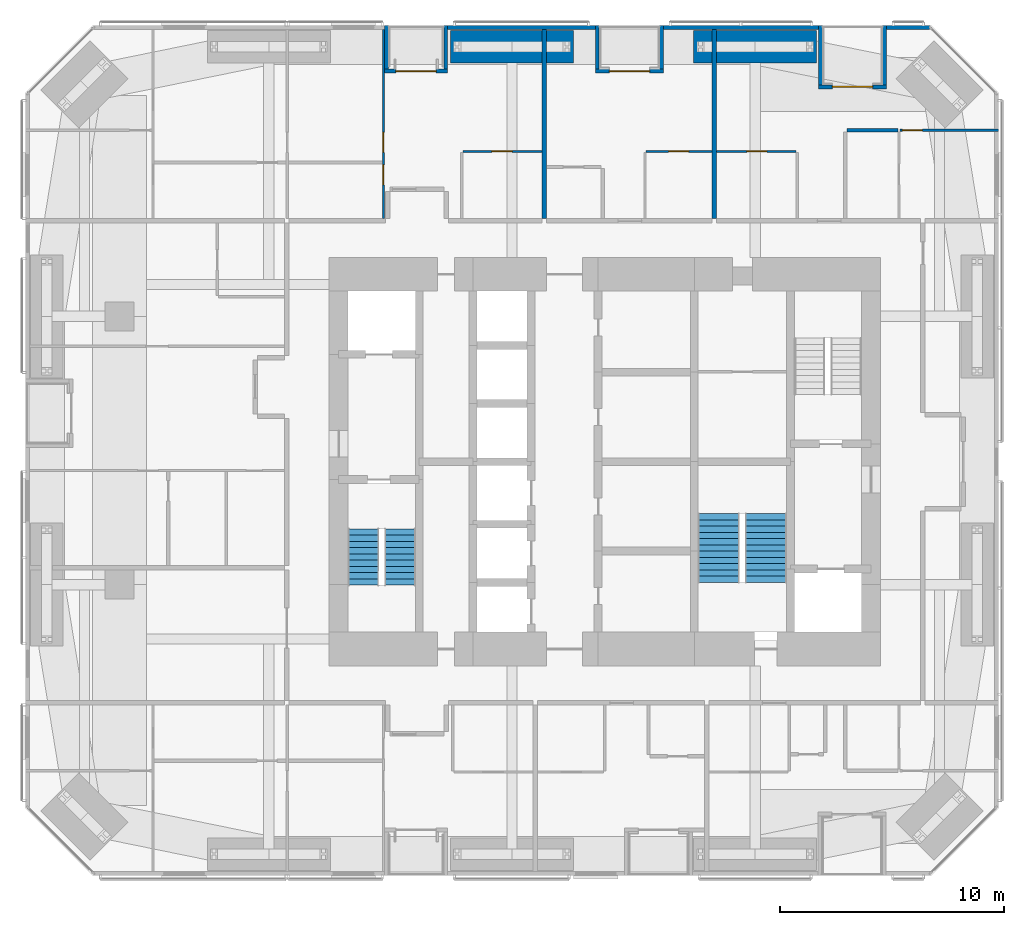
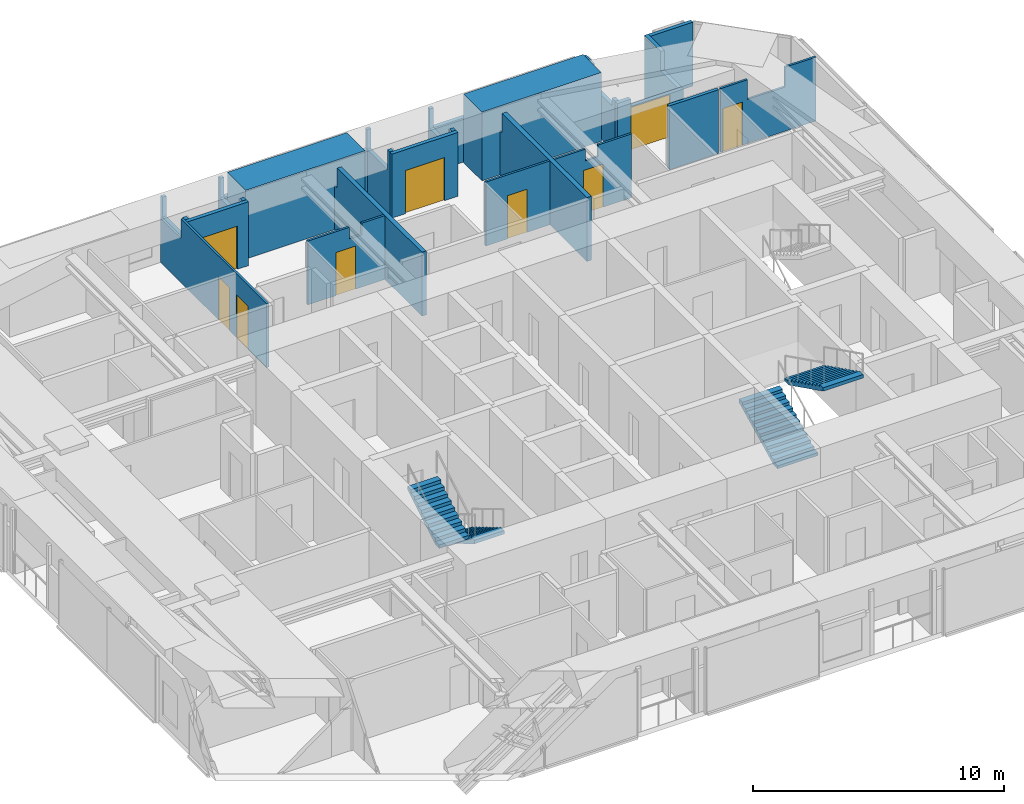
# One storey, part 23 of 25: 23 walls, 9 doors, 4 stair flights, 9 openings, 2 elements without a shape of their own.
"""IFC4 building model written with IfcOpenShell, lengths in metres."""

from ifc_helpers import new_model, si_unit, direction, frame, frame_2d, origin, place, context, subcontext, project, spatial, polyline, rectangle, outline, extrude, material, layer, layer_set, constituent, constituent_set, type_object, element, fill, aggregate, save


model = new_model("IFC4")

# Units and contexts
model_context = context("Model", 3, precision=1e-05, world=origin(), true_north=direction((0.0, 1.0)))
body_context = subcontext(model_context, "Body", "Model", "MODEL_VIEW")
ifc_project = project(units=[si_unit("LENGTHUNIT", "METRE"), si_unit("AREAUNIT", "SQUARE_METRE"), si_unit("VOLUMEUNIT", "CUBIC_METRE"), si_unit("PLANEANGLEUNIT", "RADIAN"), si_unit("MASSUNIT", "GRAM", prefix="KILO")], contexts=[model_context])

# Site, building, storey
site_placement = place(None, origin())
site = spatial("IfcSite", under=ifc_project, at=site_placement, CompositionType="ELEMENT")
building_placement = place(site_placement, origin())
building = spatial("IfcBuilding", under=site, at=building_placement, Name="Jalousie Tower", CompositionType="ELEMENT")
storey_placement = place(building_placement, frame((0.0, 0.0, 98.14990234375)))
storey = spatial("IfcBuildingStorey", under=building, at=storey_placement, Name="L26", CompositionType="ELEMENT", Elevation=98.14990234375)

# Walls
ifc_material_1 = material(Name="Concrete block ASTM C90", Category="concrete")
ifc_constituent_1 = constituent(ifc_material_1, Name="Body")
ifc_material_2 = material(Name="Render")
ifc_constituent_2 = constituent(ifc_material_2, Name="Finish")
ifc_constituent_set_1 = constituent_set(constituents=[ifc_constituent_1, ifc_constituent_2])
wall_type_1 = type_object("IfcWallType", Name="BATHROOM WALL 150", PredefinedType="PLUMBINGWALL", material=ifc_constituent_set_1)
wall_1_placement = place(storey_placement, frame((42.72509765625, 33.32421875, 0.0), z_axis=(0.0, 0.0, 1.0), x_axis=(1.0, 0.0, 0.0)))
element("IfcWall", 1, at=wall_1_placement, inside=storey, type_object=wall_type_1, Name="Bathroom Wall 150 L26", PredefinedType="PLUMBINGWALL", context=body_context, shape_type="SweptSolid", body=[
    extrude(rectangle(XDim=2.27490234375, YDim=0.14990234375, at=frame_2d((1.137451171875, 0.0))), origin(), (0.0, 0.0, 1.0), 3.110107421875),
])
ifc_material_3 = material(Name="Concrete f'c 40 MPa", Category="concrete")
ifc_constituent_3 = constituent(ifc_material_3, Name="Body")
ifc_material_4 = material(Name="Render, pastel sea green")
ifc_constituent_4 = constituent(ifc_material_4, Name="Finish")
ifc_constituent_set_2 = constituent_set(constituents=[ifc_constituent_3, ifc_constituent_4])
wall_type_2 = type_object("IfcWallType", Name="EXTERNAL WALL 175 SEA GREEN RENDER", PredefinedType="SOLIDWALL", material=ifc_constituent_set_2)
wall_2_placement = place(storey_placement, frame((46.44873046875, 37.91259765625, 0.0), z_axis=(0.0, 0.0, 1.0), x_axis=(-1.0, 0.0, 0.0)))
element("IfcWall", 2, at=wall_2_placement, inside=storey, type_object=wall_type_2, Name="External Wall 175 Sea Green Render L26", PredefinedType="SOLIDWALL", context=body_context, shape_type="SweptSolid", body=[
    extrude(rectangle(XDim=1.949951171875, YDim=0.175048828125, at=frame_2d((0.97509765625, 0.0))), origin(), (0.0, 0.0, 1.0), 3.110107421875),
])
wall_3_placement = place(storey_placement, frame((41.44873046875, 37.91259765625, 0.0), z_axis=(0.0, 0.0, 1.0), x_axis=(-1.0, 0.0, 0.0)))
element("IfcWall", 3, at=wall_3_placement, inside=storey, type_object=wall_type_2, Name="External Wall 175 Sea Green Render L26", PredefinedType="SOLIDWALL", context=body_context, shape_type="SweptSolid", body=[
    extrude(outline(polyline([(0.0, 0.0), (6.923828125, 0.0), (6.923583984375, 2.150146484375), (2.82373046875, 2.150146484375), (2.82373046875, 3.110107421875), (2.66552734375, 3.110107421875), (2.66552734375, 2.150146484375), (2.620361328125, 2.150146484375), (2.620361328125, 3.110107421875), (0.0, 3.110107421875), (0.0, 0.0)])), frame((0.0, 0.08740234375, 0.0), z_axis=(0.0, -1.0, 0.0), x_axis=(1.0, 0.0, 0.0)), (0.0, 0.0, 1.0), 0.175048828125),
])
wall_4_placement = place(storey_placement, frame((31.47509765625, 37.91259765625, 0.0), z_axis=(0.0, 0.0, 1.0), x_axis=(-1.0, 0.0, 0.0)))
element("IfcWall", 4, at=wall_4_placement, inside=storey, type_object=wall_type_2, Name="External Wall 175 Sea Green Render L26", PredefinedType="SOLIDWALL", context=body_context, shape_type="SweptSolid", body=[
    extrude(rectangle(XDim=6.60009765625, YDim=0.175048828125, at=frame_2d((3.300048828125, 0.0))), origin(), (0.0, 0.0, 1.0), 2.150146484375),
])

# Wall, opening, door
wall_5_placement = place(storey_placement, frame((44.498779296875, 35.262451171875, 0.0), z_axis=(0.0, 0.0, 1.0), x_axis=(-1.0, 0.0, 0.0)))
wall_5 = element("IfcWall", 5, at=wall_5_placement, inside=storey, type_object=wall_type_2, Name="External Wall 175 Sea Green Render L26-A", PredefinedType="SOLIDWALL", context=body_context, shape_type="SweptSolid", body=[
    extrude(rectangle(XDim=2.425048828125, YDim=0.175048828125, at=frame_2d((1.21240234375, 0.0))), origin(), (0.0, 0.0, 1.0), 2.150146484375),
])
opening_1_placement = place(wall_5_placement, frame((0.625, 0.0, 0.0)))
opening_1 = element("IfcOpeningElement", 6, at=opening_1_placement, cuts=wall_5, Name="Opening D-BAL21", PredefinedType="OPENING", context=body_context, shape_type="SweptSolid", body=[
    extrude(rectangle(XDim=1.800048828125, YDim=2.10009765625, at=frame_2d((0.89990234375, 1.050048828125))), frame((0.0, 0.097412109375, 0.0), z_axis=(0.0, -1.0, 0.0), x_axis=(1.0, 0.0, 0.0)), (0.0, 0.0, 1.0), 0.195068359375),
])
ifc_material_5 = material(Name="Aluminium frame, impact-rated glazing", Category="aluminium")
door_type_1 = type_object("IfcDoorType", Name="BALCONY DOOR 1800x2100", OperationType="SLIDING_TO_LEFT", PredefinedType="DOOR", material=ifc_material_5)
door_1_placement = place(opening_1_placement, origin())
door_1 = element("IfcDoor", 7, at=door_1_placement, inside=storey, type_object=door_type_1, Name="Apartment 2606 living and dining room loggia door", OperationType="SLIDING_TO_LEFT", OverallHeight=2.10009765625, OverallWidth=1.800048828125, PredefinedType="DOOR", context=body_context, shape_type="SweptSolid", body=[
    extrude(rectangle(XDim=1.800048828125, YDim=2.10009765625, at=frame_2d((0.89990234375, 1.050048828125))), frame((0.0, 0.02490234375, 0.0), z_axis=(0.0, -1.0, 0.0), x_axis=(1.0, 0.0, 0.0)), (0.0, 0.0, 1.0), 0.050048828125),
])
fill(opening_1, door_1)

# Walls
wall_6_placement = place(storey_placement, frame((42.07373046875, 35.262451171875, 0.0), z_axis=(0.0, 0.0, 1.0), x_axis=(-1.0, 0.0, 0.0)))
element("IfcWall", 8, at=wall_6_placement, inside=storey, type_object=wall_type_2, Name="External Wall 175 Sea Green Render L26-B", PredefinedType="SOLIDWALL", context=body_context, shape_type="SweptSolid", body=[
    extrude(rectangle(XDim=0.625, YDim=0.175048828125, at=frame_2d((0.3125, 0.0))), origin(), (0.0, 0.0, 1.0), 2.510009765625),
])
wall_7_placement = place(storey_placement, frame((44.4111328125, 38.0, 0.0), z_axis=(0.0, 0.0, 1.0), x_axis=(0.0, -1.0, 0.0)))
element("IfcWall", 9, at=wall_7_placement, inside=storey, type_object=wall_type_2, Name="External Wall 175 Sea Green Render L26", PredefinedType="SOLIDWALL", context=body_context, shape_type="SweptSolid", body=[
    extrude(outline(polyline([(0.0, 0.0), (2.64990234375, 0.0), (2.64990234375, 2.150146484375), (1.2958984375, 2.150146484375), (1.2958984375, 3.110107421875), (0.0, 3.110107421875), (0.0, 0.0)])), frame((0.0, 0.08740234375, 0.0), z_axis=(0.0, -1.0, 0.0), x_axis=(1.0, 0.0, 0.0)), (0.0, 0.0, 1.0), 0.175048828125),
])
wall_8_placement = place(storey_placement, frame((41.5361328125, 38.0, 0.0), z_axis=(0.0, 0.0, 1.0), x_axis=(0.0, -1.0, 0.0)))
element("IfcWall", 10, at=wall_8_placement, inside=storey, type_object=wall_type_2, Name="External Wall 175 Sea Green Render L26", PredefinedType="SOLIDWALL", context=body_context, shape_type="SweptSolid", body=[
    extrude(outline(polyline([(0.0, 0.0), (2.64990234375, 0.0), (2.64990234375, 2.510009765625), (2.378173828125, 2.510009765625), (2.378173828125, 2.150146484375), (0.70947265625, 2.150146484375), (0.70947265625, 3.110107421875), (0.0, 3.110107421875), (0.0, 0.0)])), frame((0.0, 0.08740234375, 0.0), z_axis=(0.0, -1.0, 0.0), x_axis=(1.0, 0.0, 0.0)), (0.0, 0.0, 1.0), 0.175048828125),
])

# Wall, opening, door
wall_9_placement = place(storey_placement, frame((34.52490234375, 35.96240234375, 0.0), z_axis=(0.0, 0.0, 1.0), x_axis=(-1.0, 0.0, 0.0)))
wall_9 = element("IfcWall", 11, at=wall_9_placement, inside=storey, type_object=wall_type_2, Name="External Wall 175 Sea Green Render L26", PredefinedType="SOLIDWALL", context=body_context, shape_type="SweptSolid", body=[
    extrude(rectangle(XDim=3.0498046875, YDim=0.175048828125, at=frame_2d((1.52490234375, 0.0))), origin(), (0.0, 0.0, 1.0), 3.110107421875),
])
opening_2_placement = place(wall_9_placement, frame((0.625, 0.0, 0.0)))
opening_2 = element("IfcOpeningElement", 12, at=opening_2_placement, cuts=wall_9, Name="Opening D-BAL21", PredefinedType="OPENING", context=body_context, shape_type="SweptSolid", body=[
    extrude(rectangle(XDim=1.800048828125, YDim=2.10009765625, at=frame_2d((0.89990234375, 1.050048828125))), frame((0.0, 0.097412109375, 0.0), z_axis=(0.0, -1.0, 0.0), x_axis=(1.0, 0.0, 0.0)), (0.0, 0.0, 1.0), 0.195068359375),
])
door_2_placement = place(opening_2_placement, origin())
door_2 = element("IfcDoor", 13, at=door_2_placement, inside=storey, type_object=door_type_1, Name="Apartment 2605 studio living and sleeping room loggia door", OperationType="SLIDING_TO_LEFT", OverallHeight=2.10009765625, OverallWidth=1.800048828125, PredefinedType="DOOR", context=body_context, shape_type="SweptSolid", body=[
    extrude(rectangle(XDim=1.800048828125, YDim=2.10009765625, at=frame_2d((0.89990234375, 1.050048828125))), frame((0.0, 0.02490234375, 0.0), z_axis=(0.0, -1.0, 0.0), x_axis=(1.0, 0.0, 0.0)), (0.0, 0.0, 1.0), 0.050048828125),
])
fill(opening_2, door_2)

# Walls
for number, where, z_axis, x_axis, name in (
    (14, (34.4375, 38.0, 0.0), (0.0, 0.0, 1.0), (0.0, -1.0, 0.0), "External Wall 175 Sea Green Render L26"),
    (15, (31.5625, 38.0, 0.0), (0.0, 0.0, 1.0), (0.0, -1.0, 0.0), "External Wall 175 Sea Green Render L26"),
):
    element("IfcWall", number, at=place(storey_placement, frame(where, z_axis=z_axis, x_axis=x_axis)), inside=storey, type_object=wall_type_2, Name=name, PredefinedType="SOLIDWALL", context=body_context, shape_type="SweptSolid", body=[
        extrude(outline(polyline([(0.0, 0.0), (1.949951171875, 0.0), (1.949951171875, 3.110107421875), (1.75, 3.110107421875), (1.75, 2.150146484375), (0.14990234375, 2.150146484375), (0.14990234375, 3.110107421875), (0.0, 3.110107421875), (0.0, 0.0)])), frame((0.0, 0.08740234375, 0.0), z_axis=(0.0, -1.0, 0.0), x_axis=(1.0, 0.0, 0.0)), (0.0, 0.0, 1.0), 0.175048828125),
    ])

# Wall, opening, door
wall_10_placement = place(storey_placement, frame((24.875, 35.96240234375, 0.0), z_axis=(0.0, 0.0, 1.0), x_axis=(-1.0, 0.0, 0.0)))
wall_10 = element("IfcWall", 16, at=wall_10_placement, inside=storey, type_object=wall_type_2, Name="External Wall 175 Sea Green Render L26", PredefinedType="SOLIDWALL", context=body_context, shape_type="SweptSolid", body=[
    extrude(rectangle(XDim=2.824951171875, YDim=0.175048828125, at=frame_2d((1.41259765625, 0.0))), origin(), (0.0, 0.0, 1.0), 3.110107421875),
])
opening_3_placement = place(wall_10_placement, frame((0.512451171875, 0.0, 0.0)))
opening_3 = element("IfcOpeningElement", 17, at=opening_3_placement, cuts=wall_10, Name="Opening D-BAL21", PredefinedType="OPENING", context=body_context, shape_type="SweptSolid", body=[
    extrude(rectangle(XDim=1.800048828125, YDim=2.10009765625, at=frame_2d((0.89990234375, 1.050048828125))), frame((0.0, 0.097412109375, 0.0), z_axis=(0.0, -1.0, 0.0), x_axis=(1.0, 0.0, 0.0)), (0.0, 0.0, 1.0), 0.195068359375),
])
door_3_placement = place(opening_3_placement, origin())
door_3 = element("IfcDoor", 18, at=door_3_placement, inside=storey, type_object=door_type_1, Name="Apartment 2604 living and dining room loggia door", OperationType="SLIDING_TO_LEFT", OverallHeight=2.10009765625, OverallWidth=1.800048828125, PredefinedType="DOOR", context=body_context, shape_type="SweptSolid", body=[
    extrude(rectangle(XDim=1.800048828125, YDim=2.10009765625, at=frame_2d((0.89990234375, 1.050048828125))), frame((0.0, 0.02490234375, 0.0), z_axis=(0.0, -1.0, 0.0), x_axis=(1.0, 0.0, 0.0)), (0.0, 0.0, 1.0), 0.050048828125),
])
fill(opening_3, door_3)

# Walls
for number, where, z_axis, x_axis, name in (
    (19, (24.78759765625, 38.0, 0.0), (0.0, 0.0, 1.0), (0.0, -1.0, 0.0), "External Wall 175 Sea Green Render L26"),
    (20, (22.137451171875, 38.0, 0.0), (0.0, 0.0, 1.0), (0.0, -1.0, 0.0), "External Wall 175 Sea Green Render L26"),
):
    element("IfcWall", number, at=place(storey_placement, frame(where, z_axis=z_axis, x_axis=x_axis)), inside=storey, type_object=wall_type_2, Name=name, PredefinedType="SOLIDWALL", context=body_context, shape_type="SweptSolid", body=[
        extrude(outline(polyline([(0.0, 0.0), (1.949951171875, 0.0), (1.949951171875, 3.110107421875), (1.75, 3.110107421875), (1.75, 2.150146484375), (0.14990234375, 2.150146484375), (0.14990234375, 3.110107421875), (0.0, 3.110107421875), (0.0, 0.0)])), frame((0.0, 0.08740234375, 0.0), z_axis=(0.0, -1.0, 0.0), x_axis=(1.0, 0.0, 0.0)), (0.0, 0.0, 1.0), 0.175048828125),
    ])

# Wall, openings, doors
ifc_material_6 = material(Name="Gypsum board", Category="gypsum")
ifc_constituent_5 = constituent(ifc_material_6, Name="Body")
ifc_material_7 = material(Name="Light-gauge steel studs ASTM A653 SS Grade 33", Category="steel")
ifc_constituent_6 = constituent(ifc_material_7, Name="Framing")
ifc_constituent_set_3 = constituent_set(constituents=[ifc_constituent_5, ifc_constituent_6])
wall_type_3 = type_object("IfcWallType", Name="PARTITION 100", PredefinedType="PARTITIONING", material=ifc_constituent_set_3)
wall_11_placement = place(storey_placement, frame((22.0, 37.824951171875, 0.0), z_axis=(0.0, 0.0, 1.0), x_axis=(0.0, -1.0, 0.0)))
wall_11 = element("IfcWall", 21, at=wall_11_placement, inside=storey, type_object=wall_type_3, Name="Partition 100 L26", PredefinedType="PARTITIONING", context=body_context, shape_type="SweptSolid", body=[
    extrude(outline(polyline([(0.0, 0.0), (8.449951171875, 0.0), (8.449951171875, 3.110107421875), (1.635009765625, 3.110107421875), (1.635009765625, 2.150146484375), (0.0, 2.150146484375), (0.0, 3.110107421875), (0.0, 0.0)])), frame((0.0, 0.050048828125, 0.0), z_axis=(0.0, -1.0, 0.0), x_axis=(1.0, 0.0, 0.0)), (0.0, 0.0, 1.0), 0.10009765625),
])
opening_4_placement = place(wall_11_placement, frame((4.60009765625, 0.0, 0.0)))
opening_4 = element("IfcOpeningElement", 22, at=opening_4_placement, cuts=wall_11, Name="Opening D2", PredefinedType="OPENING", context=body_context, shape_type="SweptSolid", body=[
    extrude(rectangle(XDim=0.89990234375, YDim=2.10009765625, at=frame_2d((0.449951171875, 1.050048828125))), frame((0.0, 0.06005859375, 0.0), z_axis=(0.0, -1.0, 0.0), x_axis=(1.0, 0.0, 0.0)), (0.0, 0.0, 1.0), 0.1201171875),
])
opening_5_placement = place(wall_11_placement, frame((6.050048828125, 0.0, 0.0)))
opening_5 = element("IfcOpeningElement", 23, at=opening_5_placement, cuts=wall_11, Name="Opening D7", PredefinedType="OPENING", context=body_context, shape_type="SweptSolid", body=[
    extrude(rectangle(XDim=0.89990234375, YDim=2.10009765625, at=frame_2d((0.449951171875, 1.050048828125))), frame((0.0, 0.06005859375, 0.0), z_axis=(0.0, -1.0, 0.0), x_axis=(1.0, 0.0, 0.0)), (0.0, 0.0, 1.0), 0.1201171875),
])
ifc_material_8 = material(Name="Timber door", Category="wood")
door_type_2 = type_object("IfcDoorType", Name="BEDROOM DOOR 900", OperationType="SINGLE_SWING_LEFT", PredefinedType="DOOR", material=ifc_material_8)
door_4_placement = place(opening_4_placement, frame((0.89990234375, 0.0, 0.0), z_axis=(0.0, 0.0, 1.0), x_axis=(-1.0, 0.0, 0.0)))
door_4 = element("IfcDoor", 24, at=door_4_placement, inside=storey, type_object=door_type_2, Name="Apartment 2604 bedroom 3 door", OperationType="SINGLE_SWING_LEFT", OverallHeight=2.10009765625, OverallWidth=0.89990234375, PredefinedType="DOOR", context=body_context, shape_type="SweptSolid", body=[
    extrude(rectangle(XDim=0.89990234375, YDim=2.10009765625, at=frame_2d((0.449951171875, 1.050048828125))), frame((0.0, 0.02490234375, 0.0), z_axis=(0.0, -1.0, 0.0), x_axis=(1.0, 0.0, 0.0)), (0.0, 0.0, 1.0), 0.050048828125),
])
fill(opening_4, door_4)
ifc_material_9 = material(Name="Timber door", Category="wood")
door_type_3 = type_object("IfcDoorType", Name="INTERNAL DOOR 900", OperationType="SINGLE_SWING_LEFT", PredefinedType="DOOR", material=ifc_material_9)
door_5_placement = place(opening_5_placement, frame((0.89990234375, 0.0, 0.0), z_axis=(0.0, 0.0, 1.0), x_axis=(-1.0, 0.0, 0.0)))
door_5 = element("IfcDoor", 25, at=door_5_placement, inside=storey, type_object=door_type_3, Name="Apartment 2604 bathroom door", OperationType="SINGLE_SWING_RIGHT", OverallHeight=2.10009765625, OverallWidth=0.89990234375, PredefinedType="DOOR", context=body_context, shape_type="SweptSolid", body=[
    extrude(rectangle(XDim=0.89990234375, YDim=2.10009765625, at=frame_2d((0.449951171875, 1.050048828125))), frame((0.0, 0.02490234375, 0.0), z_axis=(0.0, -1.0, 0.0), x_axis=(1.0, 0.0, 0.0)), (0.0, 0.0, 1.0), 0.050048828125),
])
fill(opening_5, door_5)

# Wall, opening, door
wall_12_placement = place(storey_placement, frame((25.550048828125, 32.375, 0.0), z_axis=(0.0, 0.0, 1.0), x_axis=(1.0, 0.0, 0.0)))
wall_12 = element("IfcWall", 26, at=wall_12_placement, inside=storey, type_object=wall_type_3, Name="Partition 100 L26", PredefinedType="PARTITIONING", context=body_context, shape_type="SweptSolid", body=[
    extrude(outline(polyline([(0.0, 0.0), (3.550048828125, 0.0), (3.550048828125, 3.110107421875), (2.4873046875, 3.110107421875), (2.4873046875, 2.541015625), (1.91259765625, 2.541015625), (1.91259765625, 3.110107421875), (0.0, 3.110107421875), (0.0, 0.0)])), frame((0.0, 0.050048828125, 0.0), z_axis=(0.0, -1.0, 0.0), x_axis=(1.0, 0.0, 0.0)), (0.0, 0.0, 1.0), 0.10009765625),
])
opening_6_placement = place(wall_12_placement, frame((1.300048828125, 0.0, 0.0)))
opening_6 = element("IfcOpeningElement", 27, at=opening_6_placement, cuts=wall_12, Name="Opening D7", PredefinedType="OPENING", context=body_context, shape_type="SweptSolid", body=[
    extrude(rectangle(XDim=0.89990234375, YDim=2.10009765625, at=frame_2d((0.449951171875, 1.050048828125))), frame((0.0, 0.06005859375, 0.0), z_axis=(0.0, -1.0, 0.0), x_axis=(1.0, 0.0, 0.0)), (0.0, 0.0, 1.0), 0.1201171875),
])
door_6_placement = place(opening_6_placement, origin())
door_6 = element("IfcDoor", 28, at=door_6_placement, inside=storey, type_object=door_type_3, Name="Apartment 2604 kitchen door", OperationType="SINGLE_SWING_RIGHT", OverallHeight=2.10009765625, OverallWidth=0.89990234375, PredefinedType="DOOR", context=body_context, shape_type="SweptSolid", body=[
    extrude(rectangle(XDim=0.89990234375, YDim=2.10009765625, at=frame_2d((0.449951171875, 1.050048828125))), frame((0.0, 0.02490234375, 0.0), z_axis=(0.0, -1.0, 0.0), x_axis=(1.0, 0.0, 0.0)), (0.0, 0.0, 1.0), 0.050048828125),
])
fill(opening_6, door_6)

wall_13_placement = place(storey_placement, frame((33.75, 32.375, 0.0), z_axis=(0.0, 0.0, 1.0), x_axis=(1.0, 0.0, 0.0)))
wall_13 = element("IfcWall", 29, at=wall_13_placement, inside=storey, type_object=wall_type_3, Name="Partition 100 L26", PredefinedType="PARTITIONING", context=body_context, shape_type="SweptSolid", body=[
    extrude(rectangle(XDim=2.949951171875, YDim=0.10009765625, at=frame_2d((1.47509765625, 0.0))), origin(), (0.0, 0.0, 1.0), 3.110107421875),
])
opening_7_placement = place(wall_13_placement, frame((1.0, 0.0, 0.0)))
opening_7 = element("IfcOpeningElement", 30, at=opening_7_placement, cuts=wall_13, Name="Opening D7", PredefinedType="OPENING", context=body_context, shape_type="SweptSolid", body=[
    extrude(rectangle(XDim=0.89990234375, YDim=2.10009765625, at=frame_2d((0.449951171875, 1.050048828125))), frame((0.0, 0.06005859375, 0.0), z_axis=(0.0, -1.0, 0.0), x_axis=(1.0, 0.0, 0.0)), (0.0, 0.0, 1.0), 0.1201171875),
])
door_7_placement = place(opening_7_placement, frame((0.89990234375, 0.0, 0.0), z_axis=(0.0, 0.0, 1.0), x_axis=(-1.0, 0.0, 0.0)))
door_7 = element("IfcDoor", 31, at=door_7_placement, inside=storey, type_object=door_type_3, Name="Apartment 2605 kitchen door", OperationType="SINGLE_SWING_RIGHT", OverallHeight=2.10009765625, OverallWidth=0.89990234375, PredefinedType="DOOR", context=body_context, shape_type="SweptSolid", body=[
    extrude(rectangle(XDim=0.89990234375, YDim=2.10009765625, at=frame_2d((0.449951171875, 1.050048828125))), frame((0.0, 0.02490234375, 0.0), z_axis=(0.0, -1.0, 0.0), x_axis=(1.0, 0.0, 0.0)), (0.0, 0.0, 1.0), 0.050048828125),
])
fill(opening_7, door_7)

wall_14_placement = place(storey_placement, frame((45.10009765625, 33.32421875, 0.0), z_axis=(0.0, 0.0, 1.0), x_axis=(1.0, 0.0, 0.0)))
wall_14 = element("IfcWall", 32, at=wall_14_placement, inside=storey, type_object=wall_type_3, Name="Partition 100 L26", PredefinedType="PARTITIONING", context=body_context, shape_type="SweptSolid", body=[
    extrude(outline(polyline([(0.0, 0.0), (4.39990234375, 0.0), (4.39990234375, 3.110107421875), (2.971435546875, 3.110107421875), (2.971435546875, 2.150146484375), (1.22900390625, 2.150146484375), (1.22900390625, 3.110107421875), (0.0, 3.110107421875), (0.0, 0.0)])), frame((0.0, 0.050048828125, 0.0), z_axis=(0.0, -1.0, 0.0), x_axis=(1.0, 0.0, 0.0)), (0.0, 0.0, 1.0), 0.10009765625),
])
opening_8_placement = place(wall_14_placement, frame((0.10009765625, 0.0, 0.0)))
opening_8 = element("IfcOpeningElement", 33, at=opening_8_placement, cuts=wall_14, Name="Opening D2", PredefinedType="OPENING", context=body_context, shape_type="SweptSolid", body=[
    extrude(rectangle(XDim=0.89990234375, YDim=2.10009765625, at=frame_2d((0.449951171875, 1.050048828125))), frame((0.0, 0.06005859375, 0.0), z_axis=(0.0, -1.0, 0.0), x_axis=(1.0, 0.0, 0.0)), (0.0, 0.0, 1.0), 0.1201171875),
])
door_8_placement = place(opening_8_placement, frame((0.89990234375, 0.0, 0.0), z_axis=(0.0, 0.0, 1.0), x_axis=(-1.0, 0.0, 0.0)))
door_8 = element("IfcDoor", 34, at=door_8_placement, inside=storey, type_object=door_type_2, Name="Apartment 2606 bedroom 1 door", OperationType="SINGLE_SWING_RIGHT", OverallHeight=2.10009765625, OverallWidth=0.89990234375, PredefinedType="DOOR", context=body_context, shape_type="SweptSolid", body=[
    extrude(rectangle(XDim=0.89990234375, YDim=2.10009765625, at=frame_2d((0.449951171875, 1.050048828125))), frame((0.0, 0.02490234375, 0.0), z_axis=(0.0, -1.0, 0.0), x_axis=(1.0, 0.0, 0.0)), (0.0, 0.0, 1.0), 0.050048828125),
])
fill(opening_8, door_8)

wall_15_placement = place(storey_placement, frame((36.89990234375, 32.375, 0.0), z_axis=(0.0, 0.0, 1.0), x_axis=(1.0, 0.0, 0.0)))
wall_15 = element("IfcWall", 35, at=wall_15_placement, inside=storey, type_object=wall_type_3, Name="Partition 100 L26", PredefinedType="PARTITIONING", context=body_context, shape_type="SweptSolid", body=[
    extrude(outline(polyline([(0.0, 0.0), (3.550048828125, 0.0), (3.550048828125, 3.110107421875), (2.012451171875, 3.110107421875), (2.012451171875, 2.541015625), (1.4375, 2.541015625), (1.4375, 3.110107421875), (0.0, 3.110107421875), (0.0, 0.0)])), frame((0.0, 0.050048828125, 0.0), z_axis=(0.0, -1.0, 0.0), x_axis=(1.0, 0.0, 0.0)), (0.0, 0.0, 1.0), 0.10009765625),
])
opening_9_placement = place(wall_15_placement, frame((1.35009765625, 0.0, 0.0)))
opening_9 = element("IfcOpeningElement", 36, at=opening_9_placement, cuts=wall_15, Name="Opening D7", PredefinedType="OPENING", context=body_context, shape_type="SweptSolid", body=[
    extrude(rectangle(XDim=0.89990234375, YDim=2.10009765625, at=frame_2d((0.449951171875, 1.050048828125))), frame((0.0, 0.06005859375, 0.0), z_axis=(0.0, -1.0, 0.0), x_axis=(1.0, 0.0, 0.0)), (0.0, 0.0, 1.0), 0.1201171875),
])
door_9_placement = place(opening_9_placement, origin())
door_9 = element("IfcDoor", 37, at=door_9_placement, inside=storey, type_object=door_type_3, Name="Apartment 2606 kitchen door", OperationType="SINGLE_SWING_LEFT", OverallHeight=2.10009765625, OverallWidth=0.89990234375, PredefinedType="DOOR", context=body_context, shape_type="SweptSolid", body=[
    extrude(rectangle(XDim=0.89990234375, YDim=2.10009765625, at=frame_2d((0.449951171875, 1.050048828125))), frame((0.0, 0.02490234375, 0.0), z_axis=(0.0, -1.0, 0.0), x_axis=(1.0, 0.0, 0.0)), (0.0, 0.0, 1.0), 0.050048828125),
])
fill(opening_9, door_9)

# Walls
ifc_material_10 = material(Name="Concrete block ASTM C90", Category="concrete")
ifc_constituent_7 = constituent(ifc_material_10, Name="Body")
ifc_material_11 = material(Name="Render")
ifc_constituent_8 = constituent(ifc_material_11, Name="Finish")
ifc_constituent_set_4 = constituent_set(constituents=[ifc_constituent_7, ifc_constituent_8])
wall_type_4 = type_object("IfcWallType", Name="PARTY WALL 200", PredefinedType="PARTITIONING", material=ifc_constituent_set_4)
wall_16_placement = place(storey_placement, frame((29.199951171875, 37.824951171875, 0.0), z_axis=(0.0, 0.0, 1.0), x_axis=(0.0, -1.0, 0.0)))
element("IfcWall", 38, at=wall_16_placement, inside=storey, type_object=wall_type_4, Name="Party Wall 200 L26", PredefinedType="PARTITIONING", context=body_context, shape_type="SweptSolid", body=[
    extrude(outline(polyline([(0.52880859375, 2.150146484375), (0.0, 2.150146484375), (0.0, 0.0), (0.52880859375, 0.0), (0.52880859375, 0.512939453125), (1.021240234375, 0.512939453125), (1.021240234375, 0.0), (8.449951171875, 0.0), (8.449951171875, 3.110107421875), (1.68505859375, 3.110107421875), (1.68505859375, 2.150146484375), (1.021240234375, 2.150146484375), (1.021240234375, 1.63720703125), (0.52880859375, 1.63720703125), (0.52880859375, 2.150146484375)])), frame((0.0, 0.10009765625, 0.0), z_axis=(0.0, -1.0, 0.0), x_axis=(1.0, 0.0, 0.0)), (0.0, 0.0, 1.0), 0.199951171875),
])
wall_17_placement = place(storey_placement, frame((36.800048828125, 37.824951171875, 0.0), z_axis=(0.0, 0.0, 1.0), x_axis=(0.0, -1.0, 0.0)))
element("IfcWall", 39, at=wall_17_placement, inside=storey, type_object=wall_type_4, Name="Party Wall 200 L26", PredefinedType="PARTITIONING", context=body_context, shape_type="SweptSolid", body=[
    extrude(outline(polyline([(0.52880859375, 2.150146484375), (0.0, 2.150146484375), (0.0, 0.0), (0.52880859375, 0.0), (0.52880859375, 0.256591796875), (1.021240234375, 0.256591796875), (1.021240234375, 0.0), (8.449951171875, 0.0), (8.449951171875, 3.110107421875), (1.68505859375, 3.110107421875), (1.68505859375, 2.150146484375), (1.021240234375, 2.150146484375), (1.021240234375, 1.893798828125), (0.52880859375, 1.893798828125), (0.52880859375, 2.150146484375)])), frame((0.0, 0.10009765625, 0.0), z_axis=(0.0, -1.0, 0.0), x_axis=(1.0, 0.0, 0.0)), (0.0, 0.0, 1.0), 0.199951171875),
])
ifc_material_12 = material(Name="Concrete f'c 120 MPa", Category="concrete")
ifc_layer = layer(ifc_material_12, 1.449951171875)
ifc_layer_set = layer_set([ifc_layer], Name="Concrete f'c 120 MPa")
wall_type_5 = type_object("IfcWallType", Name="RC WALL PIER 1450", PredefinedType="SHEAR", material=ifc_layer_set)
for number, where, z_axis, x_axis, name in (
    (40, (35.875, 37.050048828125, 0.0), (0.0, 0.0, 1.0), (1.0, 0.0, 0.0), "Wall pier 09 L26"),
    (41, (25.0, 37.050048828125, 0.0), (0.0, 0.0, 1.0), (1.0, 0.0, 0.0), "Wall pier 10 L26"),
):
    element("IfcWall", number, at=place(storey_placement, frame(where, z_axis=z_axis, x_axis=x_axis)), inside=storey, type_object=wall_type_5, Name=name, PredefinedType="SHEAR", context=body_context, shape_type="SweptSolid", body=[
        extrude(rectangle(XDim=5.5, YDim=1.449951171875, at=frame_2d((2.75, 0.0))), origin(), (0.0, 0.0, 1.0), 3.35009765625),
    ])

# Stair, stair flights
ifc_material_13 = material(Name="Concrete f'c 40 MPa", Category="concrete")
stair_type = type_object("IfcStairType", Name="EXIT STAIR", PredefinedType="HALF_TURN_STAIR", material=ifc_material_13)
stair_1_placement = place(storey_placement, origin())
stair_1 = element("IfcStair", 42, at=stair_1_placement, inside=storey, type_object=stair_type, Name="Exit stair A L26", PredefinedType="HALF_TURN_STAIR")
ifc_material_14 = material(Name="Concrete f'c 40 MPa", Category="concrete")
stair_flight_type = type_object("IfcStairFlightType", Name="STAIR FLIGHT", PredefinedType="STRAIGHT", material=ifc_material_14)
stair_flight_1_placement = place(storey_placement, frame((22.737548828125, 15.49755859375, 0.0), z_axis=(0.0, 0.0, 1.0), x_axis=(0.0, -1.0, 0.0)))
stair_flight_1 = element("IfcStairFlight", 43, at=stair_flight_1_placement, type_object=stair_flight_type, Name="ST-A flight 1", NumberOfRisers=10, NumberOfTreads=9, PredefinedType="STRAIGHT", RiserHeight=0.1675, TreadLength=0.28, context=body_context, shape_type="SweptSolid", body=[
    extrude(outline(polyline([(0.0, 0.0), (0.0, 0.16748046875), (0.280029296875, 0.16748046875), (0.280029296875, 0.3349609375), (0.56005859375, 0.3349609375), (0.56005859375, 0.50244140625), (0.840087890625, 0.50244140625), (0.840087890625, 0.669921875), (1.1201171875, 0.669921875), (1.1201171875, 0.83740234375), (1.39990234375, 0.83740234375), (1.39990234375, 1.0048828125), (1.679931640625, 1.0048828125), (1.679931640625, 1.172607421875), (1.9599609375, 1.172607421875), (1.9599609375, 1.340087890625), (2.239990234375, 1.340087890625), (2.239990234375, 1.507568359375), (2.52001953125, 1.507568359375), (2.52001953125, 1.675048828125), (2.52001953125, 1.332763671875), (0.2919921875, 0.0), (0.0, 0.0)])), frame((0.0, 0.6875, 0.0), z_axis=(0.0, -1.0, 0.0), x_axis=(1.0, 0.0, 0.0)), (0.0, 0.0, 1.0), 1.375),
])
stair_flight_2_placement = place(storey_placement, frame((21.112548828125, 12.9775390625, 1.675048828125), z_axis=(0.0, 0.0, 1.0), x_axis=(0.0, 1.0, 0.0)))
stair_flight_2 = element("IfcStairFlight", 44, at=stair_flight_2_placement, type_object=stair_flight_type, Name="ST-A flight 2", NumberOfRisers=10, NumberOfTreads=9, PredefinedType="STRAIGHT", RiserHeight=0.1675, TreadLength=0.28, context=body_context, shape_type="SweptSolid", body=[
    extrude(outline(polyline([(0.0, 0.0), (0.0, 0.16748046875), (0.280029296875, 0.16748046875), (0.280029296875, 0.3349609375), (0.56005859375, 0.3349609375), (0.56005859375, 0.50244140625), (0.840087890625, 0.50244140625), (0.840087890625, 0.669921875), (1.1201171875, 0.669921875), (1.1201171875, 0.83740234375), (1.39990234375, 0.83740234375), (1.39990234375, 1.0048828125), (1.679931640625, 1.0048828125), (1.679931640625, 1.172607421875), (1.9599609375, 1.172607421875), (1.9599609375, 1.340087890625), (2.239990234375, 1.340087890625), (2.239990234375, 1.507568359375), (2.52001953125, 1.507568359375), (2.52001953125, 1.675048828125), (2.52001953125, 1.332763671875), (0.2919921875, 0.0), (0.0, 0.0)])), frame((0.0, 0.6875, 0.0), z_axis=(0.0, -1.0, 0.0), x_axis=(1.0, 0.0, 0.0)), (0.0, 0.0, 1.0), 1.375),
])
aggregate(stair_1, [stair_flight_1, stair_flight_2])

stair_2_placement = place(storey_placement, origin())
stair_2 = element("IfcStair", 45, at=stair_2_placement, inside=storey, type_object=stair_type, Name="Exit stair C L26", PredefinedType="HALF_TURN_STAIR")
stair_flight_3_placement = place(storey_placement, frame((37.0, 13.097412109375, 0.0), z_axis=(0.0, 0.0, 1.0), x_axis=(0.0, 1.0, 0.0)))
stair_flight_3 = element("IfcStairFlight", 46, at=stair_flight_3_placement, type_object=stair_flight_type, Name="ST-C flight 1", NumberOfRisers=12, NumberOfTreads=11, PredefinedType="STRAIGHT", RiserHeight=0.139583333, TreadLength=0.28, context=body_context, shape_type="SweptSolid", body=[
    extrude(outline(polyline([(0.0, 0.0), (0.0, 0.1396484375), (0.280029296875, 0.1396484375), (0.280029296875, 0.279052734375), (0.56005859375, 0.279052734375), (0.56005859375, 0.418701171875), (0.840087890625, 0.418701171875), (0.840087890625, 0.558349609375), (1.1201171875, 0.558349609375), (1.1201171875, 0.697998046875), (1.39990234375, 0.697998046875), (1.39990234375, 0.83740234375), (1.679931640625, 0.83740234375), (1.679931640625, 0.97705078125), (1.9599609375, 0.97705078125), (1.9599609375, 1.11669921875), (2.239990234375, 1.11669921875), (2.239990234375, 1.25634765625), (2.52001953125, 1.25634765625), (2.52001953125, 1.395751953125), (2.800048828125, 1.395751953125), (2.800048828125, 1.535400390625), (3.080078125, 1.535400390625), (3.080078125, 1.675048828125), (3.080078125, 1.367919921875), (0.3359375, 0.0), (0.0, 0.0)])), frame((0.0, 0.925048828125, 0.0), z_axis=(0.0, -1.0, 0.0), x_axis=(1.0, 0.0, 0.0)), (0.0, 0.0, 1.0), 1.85009765625),
])
stair_flight_4_placement = place(storey_placement, frame((39.10009765625, 16.177490234375, 1.675048828125), z_axis=(0.0, 0.0, 1.0), x_axis=(0.0, -1.0, 0.0)))
stair_flight_4 = element("IfcStairFlight", 47, at=stair_flight_4_placement, type_object=stair_flight_type, Name="ST-C flight 2", NumberOfRisers=12, NumberOfTreads=11, PredefinedType="STRAIGHT", RiserHeight=0.139583333, TreadLength=0.28, context=body_context, shape_type="SweptSolid", body=[
    extrude(outline(polyline([(0.0, 0.0), (0.0, 0.1396484375), (0.280029296875, 0.1396484375), (0.280029296875, 0.279052734375), (0.56005859375, 0.279052734375), (0.56005859375, 0.418701171875), (0.840087890625, 0.418701171875), (0.840087890625, 0.558349609375), (1.1201171875, 0.558349609375), (1.1201171875, 0.697998046875), (1.39990234375, 0.697998046875), (1.39990234375, 0.83740234375), (1.679931640625, 0.83740234375), (1.679931640625, 0.97705078125), (1.9599609375, 0.97705078125), (1.9599609375, 1.11669921875), (2.239990234375, 1.11669921875), (2.239990234375, 1.25634765625), (2.52001953125, 1.25634765625), (2.52001953125, 1.395751953125), (2.800048828125, 1.395751953125), (2.800048828125, 1.535400390625), (3.080078125, 1.535400390625), (3.080078125, 1.675048828125), (3.080078125, 1.367919921875), (0.3359375, 0.0), (0.0, 0.0)])), frame((0.0, 0.925048828125, 0.0), z_axis=(0.0, -1.0, 0.0), x_axis=(1.0, 0.0, 0.0)), (0.0, 0.0, 1.0), 1.85009765625),
])
aggregate(stair_2, [stair_flight_3, stair_flight_4])

save(model, "model.ifc")
